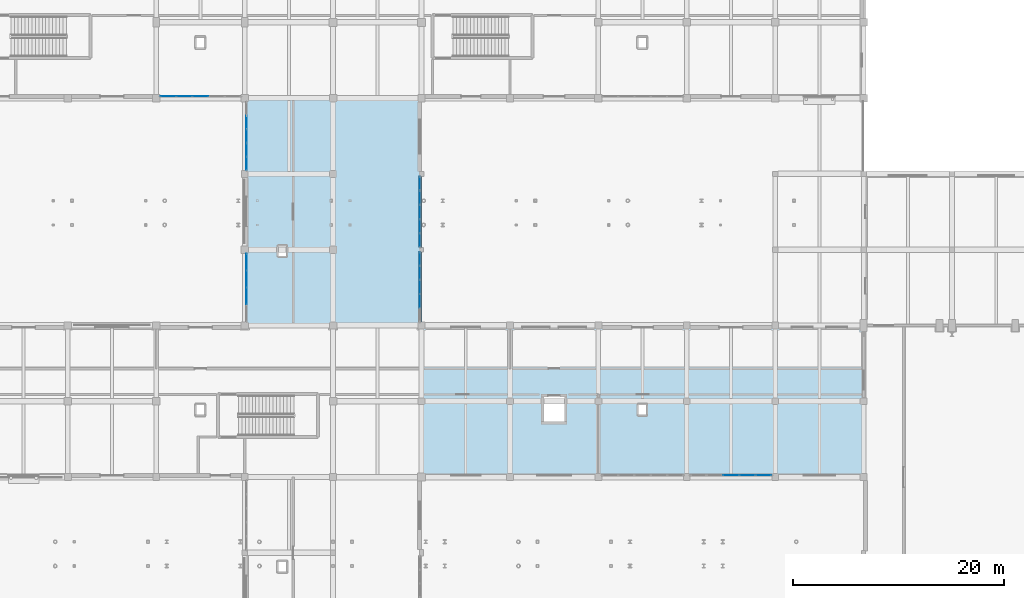
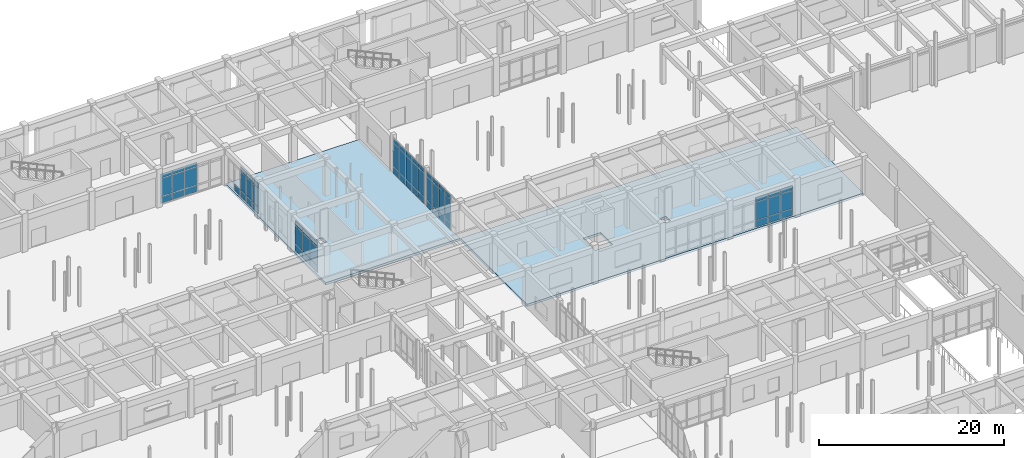
# One storey, part 69 of 121: 64 plates, 2 slabs, 6 elements without a shape of their own.
"""IFC4 building model written with IfcOpenShell, lengths in metres."""

from ifc_helpers import new_model, si_unit, direction, frame, origin, origin_2d, place, context, subcontext, project, spatial, polyline, rectangle, outline, extrude, material, layer, layer_set, type_object, element, aggregate, save


model = new_model("IFC4")

# Units and contexts
model_context = context("Model", 3, precision=1e-05, world=origin(), true_north=direction((0.0, 1.0)))
body_context = subcontext(model_context, "Body", "Model", "MODEL_VIEW")
ifc_project = project(units=[si_unit("LENGTHUNIT", "METRE"), si_unit("AREAUNIT", "SQUARE_METRE"), si_unit("VOLUMEUNIT", "CUBIC_METRE"), si_unit("PLANEANGLEUNIT", "RADIAN"), si_unit("MASSUNIT", "GRAM", prefix="KILO")], contexts=[model_context])

# Site, building, storey
site_placement = place(None, origin())
site = spatial("IfcSite", under=ifc_project, at=site_placement, CompositionType="ELEMENT")
building_placement = place(site_placement, origin())
building = spatial("IfcBuilding", under=site, at=building_placement, Name="Malvenik Polytechnic", CompositionType="ELEMENT")
storey_placement = place(building_placement, origin())
storey = spatial("IfcBuildingStorey", under=building, at=storey_placement, Name="L00", CompositionType="ELEMENT", Elevation=0.0)

# Curtain wall, plates
ifc_material_1 = material(Name="Anodised aluminium 6060-T6", Category="aluminium")
curtain_wall_type_1 = type_object("IfcCurtainWallType", Name="ARC-CW-CW-04", PredefinedType="NOTDEFINED", material=ifc_material_1)
curtain_wall_1_placement = place(storey_placement, origin())
curtain_wall_1 = element("IfcCurtainWall", 1, at=curtain_wall_1_placement, inside=storey, type_object=curtain_wall_type_1, Name="Unitised Curtain Wall CW-04 L00 #8", PredefinedType="NOTDEFINED")
ifc_material_2 = material(Name="Triple solar-control glazing 8-14-6-14-8", Category="glass")
ifc_layer_1 = layer(ifc_material_2, 0.035888671875)
ifc_layer_set_1 = layer_set([ifc_layer_1], Name="Triple solar-control glazing 8-14-6-14-8")
plate_type_1 = type_object("IfcPlateType", Name="ARC-CWP-CP-GLZ36", PredefinedType="CURTAIN_PANEL", material=ifc_layer_set_1)
plate_1_placement = place(storey_placement, frame((75.77001953125, 96.386962890625, 0.97998046875), z_axis=(0.0, 0.0, 1.0), x_axis=(0.0, 1.0, 0.0)))
plate_1 = element("IfcPlate", 2, at=plate_1_placement, type_object=plate_type_1, Name="CW-04 panel 2.2", PredefinedType="CURTAIN_PANEL", context=body_context, shape_type="SweptSolid", body=[
    extrude(rectangle(XDim=1.56591796875, YDim=0.028076171875, at=origin_2d()), origin(), (0.0, 0.0, 1.0), 2.449951171875),
])
plate_2_placement = place(storey_placement, frame((75.77001953125, 96.386962890625, 3.489990234375), z_axis=(0.0, 0.0, 1.0), x_axis=(0.0, 1.0, 0.0)))
plate_2 = element("IfcPlate", 3, at=plate_2_placement, type_object=plate_type_1, Name="CW-04 panel 2.3", PredefinedType="CURTAIN_PANEL", context=body_context, shape_type="SweptSolid", body=[
    extrude(rectangle(XDim=1.56591796875, YDim=0.028076171875, at=origin_2d()), origin(), (0.0, 0.0, 1.0), 0.56005859375),
])
plate_3_placement = place(storey_placement, frame((75.77001953125, 98.012939453125, 0.97998046875), z_axis=(0.0, 0.0, 1.0), x_axis=(0.0, 1.0, 0.0)))
plate_3 = element("IfcPlate", 4, at=plate_3_placement, type_object=plate_type_1, Name="CW-04 panel 3.2", PredefinedType="CURTAIN_PANEL", context=body_context, shape_type="SweptSolid", body=[
    extrude(rectangle(XDim=1.56591796875, YDim=0.028076171875, at=origin_2d()), origin(), (0.0, 0.0, 1.0), 2.449951171875),
])
plate_4_placement = place(storey_placement, frame((75.77001953125, 98.012939453125, 3.489990234375), z_axis=(0.0, 0.0, 1.0), x_axis=(0.0, 1.0, 0.0)))
plate_4 = element("IfcPlate", 5, at=plate_4_placement, type_object=plate_type_1, Name="CW-04 panel 3.3", PredefinedType="CURTAIN_PANEL", context=body_context, shape_type="SweptSolid", body=[
    extrude(rectangle(XDim=1.56591796875, YDim=0.028076171875, at=origin_2d()), origin(), (0.0, 0.0, 1.0), 0.56005859375),
])
plate_5_placement = place(storey_placement, frame((75.77001953125, 99.6240234375, 0.97998046875), z_axis=(0.0, 0.0, 1.0), x_axis=(0.0, 1.0, 0.0)))
plate_5 = element("IfcPlate", 6, at=plate_5_placement, type_object=plate_type_1, Name="CW-04 panel 4.2", PredefinedType="CURTAIN_PANEL", context=body_context, shape_type="SweptSolid", body=[
    extrude(rectangle(XDim=1.535888671875, YDim=0.028076171875, at=origin_2d()), origin(), (0.0, 0.0, 1.0), 2.449951171875),
])
plate_6_placement = place(storey_placement, frame((75.77001953125, 99.6240234375, 3.489990234375), z_axis=(0.0, 0.0, 1.0), x_axis=(0.0, 1.0, 0.0)))
plate_6 = element("IfcPlate", 7, at=plate_6_placement, type_object=plate_type_1, Name="CW-04 panel 4.3", PredefinedType="CURTAIN_PANEL", context=body_context, shape_type="SweptSolid", body=[
    extrude(rectangle(XDim=1.535888671875, YDim=0.028076171875, at=origin_2d()), origin(), (0.0, 0.0, 1.0), 0.56005859375),
])

curtain_wall_2_placement = place(storey_placement, origin())
curtain_wall_2 = element("IfcCurtainWall", 8, at=curtain_wall_2_placement, inside=storey, type_object=curtain_wall_type_1, Name="Unitised Curtain Wall CW-04 L00 #9", PredefinedType="NOTDEFINED")
plate_7_placement = place(storey_placement, frame((75.77001953125, 108.990966796875, 0.97998046875), z_axis=(0.0, 0.0, 1.0), x_axis=(0.0, 1.0, 0.0)))
plate_7 = element("IfcPlate", 9, at=plate_7_placement, type_object=plate_type_1, Name="CW-04 panel 1.2", PredefinedType="CURTAIN_PANEL", context=body_context, shape_type="SweptSolid", body=[
    extrude(rectangle(XDim=1.2158203125, YDim=0.028076171875, at=origin_2d()), origin(), (0.0, 0.0, 1.0), 2.449951171875),
])
plate_8_placement = place(storey_placement, frame((75.77001953125, 108.990966796875, 3.489990234375), z_axis=(0.0, 0.0, 1.0), x_axis=(0.0, 1.0, 0.0)))
plate_8 = element("IfcPlate", 10, at=plate_8_placement, type_object=plate_type_1, Name="CW-04 panel 1.3", PredefinedType="CURTAIN_PANEL", context=body_context, shape_type="SweptSolid", body=[
    extrude(rectangle(XDim=1.2158203125, YDim=0.028076171875, at=origin_2d()), origin(), (0.0, 0.0, 1.0), 0.56005859375),
])
plate_9_placement = place(storey_placement, frame((75.77001953125, 110.28173828125, 0.97998046875), z_axis=(0.0, 0.0, 1.0), x_axis=(0.0, 1.0, 0.0)))
plate_9 = element("IfcPlate", 11, at=plate_9_placement, type_object=plate_type_1, Name="CW-04 panel 2.2", PredefinedType="CURTAIN_PANEL", context=body_context, shape_type="SweptSolid", body=[
    extrude(rectangle(XDim=1.245849609375, YDim=0.028076171875, at=origin_2d()), origin(), (0.0, 0.0, 1.0), 2.449951171875),
])
plate_10_placement = place(storey_placement, frame((75.77001953125, 110.28173828125, 3.489990234375), z_axis=(0.0, 0.0, 1.0), x_axis=(0.0, 1.0, 0.0)))
plate_10 = element("IfcPlate", 12, at=plate_10_placement, type_object=plate_type_1, Name="CW-04 panel 2.3", PredefinedType="CURTAIN_PANEL", context=body_context, shape_type="SweptSolid", body=[
    extrude(rectangle(XDim=1.245849609375, YDim=0.028076171875, at=origin_2d()), origin(), (0.0, 0.0, 1.0), 0.56005859375),
])
plate_11_placement = place(storey_placement, frame((75.77001953125, 111.58740234375, 0.97998046875), z_axis=(0.0, 0.0, 1.0), x_axis=(0.0, 1.0, 0.0)))
plate_11 = element("IfcPlate", 13, at=plate_11_placement, type_object=plate_type_1, Name="CW-04 panel 3.2", PredefinedType="CURTAIN_PANEL", context=body_context, shape_type="SweptSolid", body=[
    extrude(rectangle(XDim=1.245849609375, YDim=0.028076171875, at=origin_2d()), origin(), (0.0, 0.0, 1.0), 2.449951171875),
])
plate_12_placement = place(storey_placement, frame((75.77001953125, 111.58740234375, 3.489990234375), z_axis=(0.0, 0.0, 1.0), x_axis=(0.0, 1.0, 0.0)))
plate_12 = element("IfcPlate", 14, at=plate_12_placement, type_object=plate_type_1, Name="CW-04 panel 3.3", PredefinedType="CURTAIN_PANEL", context=body_context, shape_type="SweptSolid", body=[
    extrude(rectangle(XDim=1.245849609375, YDim=0.028076171875, at=origin_2d()), origin(), (0.0, 0.0, 1.0), 0.56005859375),
])

curtain_wall_type_2 = type_object("IfcCurtainWallType", Name="ARC-CW-CW-01", PredefinedType="NOTDEFINED", material=ifc_material_1)
curtain_wall_3_placement = place(storey_placement, origin())
curtain_wall_3 = element("IfcCurtainWall", 15, at=curtain_wall_3_placement, inside=storey, type_object=curtain_wall_type_2, Name="Unitised Curtain Wall CW-01 L00 #10", PredefinedType="NOTDEFINED")
plate_13_placement = place(storey_placement, frame((71.39990234375, 115.3701171875, 0.97998046875), z_axis=(0.0, 0.0, 1.0), x_axis=(-1.0, 0.0, 0.0)))
plate_13 = element("IfcPlate", 16, at=plate_13_placement, type_object=plate_type_1, Name="CW-01 panel 3.2", PredefinedType="CURTAIN_PANEL", context=body_context, shape_type="SweptSolid", body=[
    extrude(rectangle(XDim=1.480712890625, YDim=0.028076171875, at=origin_2d()), origin(), (0.0, 0.0, 1.0), 2.35009765625),
])
plate_14_placement = place(storey_placement, frame((71.39990234375, 115.3701171875, 3.389892578125), z_axis=(0.0, 0.0, 1.0), x_axis=(-1.0, 0.0, 0.0)))
plate_14 = element("IfcPlate", 17, at=plate_14_placement, type_object=plate_type_1, Name="CW-01 panel 3.3", PredefinedType="CURTAIN_PANEL", context=body_context, shape_type="SweptSolid", body=[
    extrude(rectangle(XDim=1.480712890625, YDim=0.028076171875, at=origin_2d()), origin(), (0.0, 0.0, 1.0), 0.56005859375),
])
plate_15_placement = place(storey_placement, frame((69.859130859375, 115.3701171875, 0.97998046875), z_axis=(0.0, 0.0, 1.0), x_axis=(-1.0, 0.0, 0.0)))
plate_15 = element("IfcPlate", 18, at=plate_15_placement, type_object=plate_type_1, Name="CW-01 panel 4.2", PredefinedType="CURTAIN_PANEL", context=body_context, shape_type="SweptSolid", body=[
    extrude(rectangle(XDim=1.480712890625, YDim=0.028076171875, at=origin_2d()), origin(), (0.0, 0.0, 1.0), 2.35009765625),
])
plate_16_placement = place(storey_placement, frame((69.859130859375, 115.3701171875, 3.389892578125), z_axis=(0.0, 0.0, 1.0), x_axis=(-1.0, 0.0, 0.0)))
plate_16 = element("IfcPlate", 19, at=plate_16_placement, type_object=plate_type_1, Name="CW-01 panel 4.3", PredefinedType="CURTAIN_PANEL", context=body_context, shape_type="SweptSolid", body=[
    extrude(rectangle(XDim=1.480712890625, YDim=0.028076171875, at=origin_2d()), origin(), (0.0, 0.0, 1.0), 0.56005859375),
])
plate_17_placement = place(storey_placement, frame((68.33349609375, 115.3701171875, 0.97998046875), z_axis=(0.0, 0.0, 1.0), x_axis=(-1.0, 0.0, 0.0)))
plate_17 = element("IfcPlate", 20, at=plate_17_placement, type_object=plate_type_1, Name="CW-01 panel 5.2", PredefinedType="CURTAIN_PANEL", context=body_context, shape_type="SweptSolid", body=[
    extrude(rectangle(XDim=1.45068359375, YDim=0.028076171875, at=origin_2d()), origin(), (0.0, 0.0, 1.0), 2.35009765625),
])
plate_18_placement = place(storey_placement, frame((68.33349609375, 115.3701171875, 3.389892578125), z_axis=(0.0, 0.0, 1.0), x_axis=(-1.0, 0.0, 0.0)))
plate_18 = element("IfcPlate", 21, at=plate_18_placement, type_object=plate_type_1, Name="CW-01 panel 5.3", PredefinedType="CURTAIN_PANEL", context=body_context, shape_type="SweptSolid", body=[
    extrude(rectangle(XDim=1.45068359375, YDim=0.028076171875, at=origin_2d()), origin(), (0.0, 0.0, 1.0), 0.56005859375),
])

curtain_wall_type_3 = type_object("IfcCurtainWallType", Name="ARC-CW-CW-13", PredefinedType="NOTDEFINED", material=ifc_material_1)
curtain_wall_4_placement = place(storey_placement, origin())
curtain_wall_4 = element("IfcCurtainWall", 22, at=curtain_wall_4_placement, inside=storey, type_object=curtain_wall_type_3, Name="Unitised Curtain Wall CW-13 L00 #12", PredefinedType="NOTDEFINED")
plate_19_placement = place(storey_placement, frame((92.22998046875, 107.083984375, 0.97998046875), z_axis=(0.0, 0.0, 1.0), x_axis=(0.0, -1.0, 0.0)))
plate_19 = element("IfcPlate", 23, at=plate_19_placement, type_object=plate_type_1, Name="CW-13 panel 1.2", PredefinedType="CURTAIN_PANEL", context=body_context, shape_type="SweptSolid", body=[
    extrude(rectangle(XDim=1.265869140625, YDim=0.028076171875, at=origin_2d()), origin(), (0.0, 0.0, 1.0), 3.10009765625),
])
plate_20_placement = place(storey_placement, frame((92.22998046875, 107.083984375, 4.139892578125), z_axis=(0.0, 0.0, 1.0), x_axis=(0.0, -1.0, 0.0)))
plate_20 = element("IfcPlate", 24, at=plate_20_placement, type_object=plate_type_1, Name="CW-13 panel 1.3", PredefinedType="CURTAIN_PANEL", context=body_context, shape_type="SweptSolid", body=[
    extrude(rectangle(XDim=1.265869140625, YDim=0.028076171875, at=origin_2d()), origin(), (0.0, 0.0, 1.0), 0.56005859375),
])
plate_21_placement = place(storey_placement, frame((92.22998046875, 105.743408203125, 0.97998046875), z_axis=(0.0, 0.0, 1.0), x_axis=(0.0, -1.0, 0.0)))
plate_21 = element("IfcPlate", 25, at=plate_21_placement, type_object=plate_type_1, Name="CW-13 panel 2.2", PredefinedType="CURTAIN_PANEL", context=body_context, shape_type="SweptSolid", body=[
    extrude(rectangle(XDim=1.2958984375, YDim=0.028076171875, at=origin_2d()), origin(), (0.0, 0.0, 1.0), 3.10009765625),
])
plate_22_placement = place(storey_placement, frame((92.22998046875, 105.743408203125, 4.139892578125), z_axis=(0.0, 0.0, 1.0), x_axis=(0.0, -1.0, 0.0)))
plate_22 = element("IfcPlate", 26, at=plate_22_placement, type_object=plate_type_1, Name="CW-13 panel 2.3", PredefinedType="CURTAIN_PANEL", context=body_context, shape_type="SweptSolid", body=[
    extrude(rectangle(XDim=1.2958984375, YDim=0.028076171875, at=origin_2d()), origin(), (0.0, 0.0, 1.0), 0.56005859375),
])
plate_23_placement = place(storey_placement, frame((92.22998046875, 104.387451171875, 0.97998046875), z_axis=(0.0, 0.0, 1.0), x_axis=(0.0, -1.0, 0.0)))
plate_23 = element("IfcPlate", 27, at=plate_23_placement, type_object=plate_type_1, Name="CW-13 panel 3.2", PredefinedType="CURTAIN_PANEL", context=body_context, shape_type="SweptSolid", body=[
    extrude(rectangle(XDim=1.2958984375, YDim=0.028076171875, at=origin_2d()), origin(), (0.0, 0.0, 1.0), 3.10009765625),
])
plate_24_placement = place(storey_placement, frame((92.22998046875, 104.387451171875, 4.139892578125), z_axis=(0.0, 0.0, 1.0), x_axis=(0.0, -1.0, 0.0)))
plate_24 = element("IfcPlate", 28, at=plate_24_placement, type_object=plate_type_1, Name="CW-13 panel 3.3", PredefinedType="CURTAIN_PANEL", context=body_context, shape_type="SweptSolid", body=[
    extrude(rectangle(XDim=1.2958984375, YDim=0.028076171875, at=origin_2d()), origin(), (0.0, 0.0, 1.0), 0.56005859375),
])
plate_25_placement = place(storey_placement, frame((92.22998046875, 103.03173828125, 0.97998046875), z_axis=(0.0, 0.0, 1.0), x_axis=(0.0, -1.0, 0.0)))
plate_25 = element("IfcPlate", 29, at=plate_25_placement, type_object=plate_type_1, Name="CW-13 panel 4.2", PredefinedType="CURTAIN_PANEL", context=body_context, shape_type="SweptSolid", body=[
    extrude(rectangle(XDim=1.2958984375, YDim=0.028076171875, at=origin_2d()), origin(), (0.0, 0.0, 1.0), 3.10009765625),
])
plate_26_placement = place(storey_placement, frame((92.22998046875, 103.03173828125, 4.139892578125), z_axis=(0.0, 0.0, 1.0), x_axis=(0.0, -1.0, 0.0)))
plate_26 = element("IfcPlate", 30, at=plate_26_placement, type_object=plate_type_1, Name="CW-13 panel 4.3", PredefinedType="CURTAIN_PANEL", context=body_context, shape_type="SweptSolid", body=[
    extrude(rectangle(XDim=1.2958984375, YDim=0.028076171875, at=origin_2d()), origin(), (0.0, 0.0, 1.0), 0.56005859375),
])
plate_27_placement = place(storey_placement, frame((92.22998046875, 101.69091796875, 0.97998046875), z_axis=(0.0, 0.0, 1.0), x_axis=(0.0, -1.0, 0.0)))
plate_27 = element("IfcPlate", 31, at=plate_27_placement, type_object=plate_type_1, Name="CW-13 panel 5.2", PredefinedType="CURTAIN_PANEL", context=body_context, shape_type="SweptSolid", body=[
    extrude(rectangle(XDim=1.265869140625, YDim=0.028076171875, at=origin_2d()), origin(), (0.0, 0.0, 1.0), 3.10009765625),
])
plate_28_placement = place(storey_placement, frame((92.22998046875, 101.69091796875, 4.139892578125), z_axis=(0.0, 0.0, 1.0), x_axis=(0.0, -1.0, 0.0)))
plate_28 = element("IfcPlate", 32, at=plate_28_placement, type_object=plate_type_1, Name="CW-13 panel 5.3", PredefinedType="CURTAIN_PANEL", context=body_context, shape_type="SweptSolid", body=[
    extrude(rectangle(XDim=1.265869140625, YDim=0.028076171875, at=origin_2d()), origin(), (0.0, 0.0, 1.0), 0.56005859375),
])

curtain_wall_5_placement = place(storey_placement, origin())
curtain_wall_5 = element("IfcCurtainWall", 33, at=curtain_wall_5_placement, inside=storey, type_object=curtain_wall_type_3, Name="Unitised Curtain Wall CW-13 L00 #13", PredefinedType="NOTDEFINED")
plate_29_placement = place(storey_placement, frame((92.22998046875, 99.919189453125, 0.97998046875), z_axis=(0.0, 0.0, 1.0), x_axis=(0.0, -1.0, 0.0)))
plate_29 = element("IfcPlate", 34, at=plate_29_placement, type_object=plate_type_1, Name="CW-13 panel 1.2", PredefinedType="CURTAIN_PANEL", context=body_context, shape_type="SweptSolid", body=[
    extrude(rectangle(XDim=1.245849609375, YDim=0.028076171875, at=origin_2d()), origin(), (0.0, 0.0, 1.0), 3.10009765625),
])
plate_30_placement = place(storey_placement, frame((92.22998046875, 99.919189453125, 4.139892578125), z_axis=(0.0, 0.0, 1.0), x_axis=(0.0, -1.0, 0.0)))
plate_30 = element("IfcPlate", 35, at=plate_30_placement, type_object=plate_type_1, Name="CW-13 panel 1.3", PredefinedType="CURTAIN_PANEL", context=body_context, shape_type="SweptSolid", body=[
    extrude(rectangle(XDim=1.245849609375, YDim=0.028076171875, at=origin_2d()), origin(), (0.0, 0.0, 1.0), 0.56005859375),
])
plate_31_placement = place(storey_placement, frame((92.22998046875, 98.598388671875, 0.97998046875), z_axis=(0.0, 0.0, 1.0), x_axis=(0.0, -1.0, 0.0)))
plate_31 = element("IfcPlate", 36, at=plate_31_placement, type_object=plate_type_1, Name="CW-13 panel 2.2", PredefinedType="CURTAIN_PANEL", context=body_context, shape_type="SweptSolid", body=[
    extrude(rectangle(XDim=1.27587890625, YDim=0.028076171875, at=origin_2d()), origin(), (0.0, 0.0, 1.0), 3.10009765625),
])
plate_32_placement = place(storey_placement, frame((92.22998046875, 98.598388671875, 4.139892578125), z_axis=(0.0, 0.0, 1.0), x_axis=(0.0, -1.0, 0.0)))
plate_32 = element("IfcPlate", 37, at=plate_32_placement, type_object=plate_type_1, Name="CW-13 panel 2.3", PredefinedType="CURTAIN_PANEL", context=body_context, shape_type="SweptSolid", body=[
    extrude(rectangle(XDim=1.27587890625, YDim=0.028076171875, at=origin_2d()), origin(), (0.0, 0.0, 1.0), 0.56005859375),
])
plate_33_placement = place(storey_placement, frame((92.22998046875, 97.262451171875, 0.97998046875), z_axis=(0.0, 0.0, 1.0), x_axis=(0.0, -1.0, 0.0)))
plate_33 = element("IfcPlate", 38, at=plate_33_placement, type_object=plate_type_1, Name="CW-13 panel 3.2", PredefinedType="CURTAIN_PANEL", context=body_context, shape_type="SweptSolid", body=[
    extrude(rectangle(XDim=1.27587890625, YDim=0.028076171875, at=origin_2d()), origin(), (0.0, 0.0, 1.0), 3.10009765625),
])
plate_34_placement = place(storey_placement, frame((92.22998046875, 97.262451171875, 4.139892578125), z_axis=(0.0, 0.0, 1.0), x_axis=(0.0, -1.0, 0.0)))
plate_34 = element("IfcPlate", 39, at=plate_34_placement, type_object=plate_type_1, Name="CW-13 panel 3.3", PredefinedType="CURTAIN_PANEL", context=body_context, shape_type="SweptSolid", body=[
    extrude(rectangle(XDim=1.27587890625, YDim=0.028076171875, at=origin_2d()), origin(), (0.0, 0.0, 1.0), 0.56005859375),
])
plate_35_placement = place(storey_placement, frame((92.22998046875, 95.9267578125, 0.97998046875), z_axis=(0.0, 0.0, 1.0), x_axis=(0.0, -1.0, 0.0)))
plate_35 = element("IfcPlate", 40, at=plate_35_placement, type_object=plate_type_1, Name="CW-13 panel 4.2", PredefinedType="CURTAIN_PANEL", context=body_context, shape_type="SweptSolid", body=[
    extrude(rectangle(XDim=1.27587890625, YDim=0.028076171875, at=origin_2d()), origin(), (0.0, 0.0, 1.0), 3.10009765625),
])
plate_36_placement = place(storey_placement, frame((92.22998046875, 95.9267578125, 4.139892578125), z_axis=(0.0, 0.0, 1.0), x_axis=(0.0, -1.0, 0.0)))
plate_36 = element("IfcPlate", 41, at=plate_36_placement, type_object=plate_type_1, Name="CW-13 panel 4.3", PredefinedType="CURTAIN_PANEL", context=body_context, shape_type="SweptSolid", body=[
    extrude(rectangle(XDim=1.27587890625, YDim=0.028076171875, at=origin_2d()), origin(), (0.0, 0.0, 1.0), 0.56005859375),
])

curtain_wall_6_placement = place(storey_placement, origin())
curtain_wall_6 = element("IfcCurtainWall", 42, at=curtain_wall_6_placement, inside=storey, type_object=curtain_wall_type_2, Name="Unitised Curtain Wall CW-01 L00 #18", PredefinedType="NOTDEFINED")
plate_37_placement = place(storey_placement, frame((124.88671875, 79.3701171875, 0.97998046875), z_axis=(0.0, 0.0, 1.0), x_axis=(-1.0, 0.0, 0.0)))
plate_37 = element("IfcPlate", 43, at=plate_37_placement, type_object=plate_type_1, Name="CW-01 panel 1.2", PredefinedType="CURTAIN_PANEL", context=body_context, shape_type="SweptSolid", body=[
    extrude(rectangle(XDim=1.460693359375, YDim=0.028076171875, at=origin_2d()), origin(), (0.0, 0.0, 1.0), 2.35009765625),
])
plate_38_placement = place(storey_placement, frame((124.88671875, 79.3701171875, 3.389892578125), z_axis=(0.0, 0.0, 1.0), x_axis=(-1.0, 0.0, 0.0)))
plate_38 = element("IfcPlate", 44, at=plate_38_placement, type_object=plate_type_1, Name="CW-01 panel 1.3", PredefinedType="CURTAIN_PANEL", context=body_context, shape_type="SweptSolid", body=[
    extrude(rectangle(XDim=1.460693359375, YDim=0.028076171875, at=origin_2d()), origin(), (0.0, 0.0, 1.0), 0.56005859375),
])
plate_39_placement = place(storey_placement, frame((123.350830078125, 79.3701171875, 0.97998046875), z_axis=(0.0, 0.0, 1.0), x_axis=(-1.0, 0.0, 0.0)))
plate_39 = element("IfcPlate", 45, at=plate_39_placement, type_object=plate_type_1, Name="CW-01 panel 2.2", PredefinedType="CURTAIN_PANEL", context=body_context, shape_type="SweptSolid", body=[
    extrude(rectangle(XDim=1.49072265625, YDim=0.028076171875, at=origin_2d()), origin(), (0.0, 0.0, 1.0), 2.35009765625),
])
plate_40_placement = place(storey_placement, frame((123.350830078125, 79.3701171875, 3.389892578125), z_axis=(0.0, 0.0, 1.0), x_axis=(-1.0, 0.0, 0.0)))
plate_40 = element("IfcPlate", 46, at=plate_40_placement, type_object=plate_type_1, Name="CW-01 panel 2.3", PredefinedType="CURTAIN_PANEL", context=body_context, shape_type="SweptSolid", body=[
    extrude(rectangle(XDim=1.49072265625, YDim=0.028076171875, at=origin_2d()), origin(), (0.0, 0.0, 1.0), 0.56005859375),
])
plate_41_placement = place(storey_placement, frame((121.800048828125, 79.3701171875, 0.97998046875), z_axis=(0.0, 0.0, 1.0), x_axis=(-1.0, 0.0, 0.0)))
plate_41 = element("IfcPlate", 47, at=plate_41_placement, type_object=plate_type_1, Name="CW-01 panel 3.2", PredefinedType="CURTAIN_PANEL", context=body_context, shape_type="SweptSolid", body=[
    extrude(rectangle(XDim=1.49072265625, YDim=0.028076171875, at=origin_2d()), origin(), (0.0, 0.0, 1.0), 2.35009765625),
])
plate_42_placement = place(storey_placement, frame((121.800048828125, 79.3701171875, 3.389892578125), z_axis=(0.0, 0.0, 1.0), x_axis=(-1.0, 0.0, 0.0)))
plate_42 = element("IfcPlate", 48, at=plate_42_placement, type_object=plate_type_1, Name="CW-01 panel 3.3", PredefinedType="CURTAIN_PANEL", context=body_context, shape_type="SweptSolid", body=[
    extrude(rectangle(XDim=1.49072265625, YDim=0.028076171875, at=origin_2d()), origin(), (0.0, 0.0, 1.0), 0.56005859375),
])

# Plate
ifc_material_3 = material(Name="Insulated aluminium spandrel cassette 42mm", Category="aluminium")
ifc_layer_2 = layer(ifc_material_3, 0.0419921875)
ifc_layer_set_2 = layer_set([ifc_layer_2], Name="Insulated aluminium spandrel cassette 42mm")
plate_type_2 = type_object("IfcPlateType", Name="ARC-CWP-CP-SPN42", PredefinedType="CURTAIN_PANEL", material=ifc_layer_set_2)
plate_43_placement = place(storey_placement, frame((75.77001953125, 96.386962890625, 0.06005859375), z_axis=(0.0, 0.0, 1.0), x_axis=(0.0, 1.0, 0.0)))
plate_43 = element("IfcPlate", 49, at=plate_43_placement, type_object=plate_type_2, Name="CW-04 panel 2.1", PredefinedType="CURTAIN_PANEL", context=body_context, shape_type="SweptSolid", body=[
    extrude(rectangle(XDim=1.56591796875, YDim=0.028076171875, at=origin_2d()), origin(), (0.0, 0.0, 1.0), 0.860107421875),
])

plate_44_placement = place(storey_placement, frame((75.77001953125, 98.012939453125, 0.06005859375), z_axis=(0.0, 0.0, 1.0), x_axis=(0.0, 1.0, 0.0)))
plate_44 = element("IfcPlate", 50, at=plate_44_placement, type_object=plate_type_2, Name="CW-04 panel 3.1", PredefinedType="CURTAIN_PANEL", context=body_context, shape_type="SweptSolid", body=[
    extrude(rectangle(XDim=1.56591796875, YDim=0.028076171875, at=origin_2d()), origin(), (0.0, 0.0, 1.0), 0.860107421875),
])

plate_45_placement = place(storey_placement, frame((75.77001953125, 99.6240234375, 0.06005859375), z_axis=(0.0, 0.0, 1.0), x_axis=(0.0, 1.0, 0.0)))
plate_45 = element("IfcPlate", 51, at=plate_45_placement, type_object=plate_type_2, Name="CW-04 panel 4.1", PredefinedType="CURTAIN_PANEL", context=body_context, shape_type="SweptSolid", body=[
    extrude(rectangle(XDim=1.535888671875, YDim=0.028076171875, at=origin_2d()), origin(), (0.0, 0.0, 1.0), 0.860107421875),
])

aggregate(curtain_wall_1, [plate_43, plate_1, plate_2, plate_44, plate_3, plate_4, plate_45, plate_5, plate_6])

plate_46_placement = place(storey_placement, frame((75.77001953125, 108.990966796875, 0.06005859375), z_axis=(0.0, 0.0, 1.0), x_axis=(0.0, 1.0, 0.0)))
plate_46 = element("IfcPlate", 52, at=plate_46_placement, type_object=plate_type_2, Name="CW-04 panel 1.1", PredefinedType="CURTAIN_PANEL", context=body_context, shape_type="SweptSolid", body=[
    extrude(rectangle(XDim=1.2158203125, YDim=0.028076171875, at=origin_2d()), origin(), (0.0, 0.0, 1.0), 0.860107421875),
])

plate_47_placement = place(storey_placement, frame((75.77001953125, 110.28173828125, 0.06005859375), z_axis=(0.0, 0.0, 1.0), x_axis=(0.0, 1.0, 0.0)))
plate_47 = element("IfcPlate", 53, at=plate_47_placement, type_object=plate_type_2, Name="CW-04 panel 2.1", PredefinedType="CURTAIN_PANEL", context=body_context, shape_type="SweptSolid", body=[
    extrude(rectangle(XDim=1.245849609375, YDim=0.028076171875, at=origin_2d()), origin(), (0.0, 0.0, 1.0), 0.860107421875),
])

plate_48_placement = place(storey_placement, frame((75.77001953125, 111.58740234375, 0.06005859375), z_axis=(0.0, 0.0, 1.0), x_axis=(0.0, 1.0, 0.0)))
plate_48 = element("IfcPlate", 54, at=plate_48_placement, type_object=plate_type_2, Name="CW-04 panel 3.1", PredefinedType="CURTAIN_PANEL", context=body_context, shape_type="SweptSolid", body=[
    extrude(rectangle(XDim=1.245849609375, YDim=0.028076171875, at=origin_2d()), origin(), (0.0, 0.0, 1.0), 0.860107421875),
])

plate_49_placement = place(storey_placement, frame((75.77001953125, 112.893310546875, 0.06005859375), z_axis=(0.0, 0.0, 1.0), x_axis=(0.0, 1.0, 0.0)))
plate_49 = element("IfcPlate", 55, at=plate_49_placement, type_object=plate_type_2, Name="CW-04 panel 4.1", PredefinedType="CURTAIN_PANEL", context=body_context, shape_type="SweptSolid", body=[
    extrude(rectangle(XDim=1.245849609375, YDim=0.028076171875, at=origin_2d()), origin(), (0.0, 0.0, 1.0), 0.860107421875),
])

aggregate(curtain_wall_2, [plate_46, plate_7, plate_8, plate_47, plate_9, plate_10, plate_48, plate_11, plate_12, plate_49])

plate_50_placement = place(storey_placement, frame((71.39990234375, 115.3701171875, 0.06005859375), z_axis=(0.0, 0.0, 1.0), x_axis=(-1.0, 0.0, 0.0)))
plate_50 = element("IfcPlate", 56, at=plate_50_placement, type_object=plate_type_2, Name="CW-01 panel 3.1", PredefinedType="CURTAIN_PANEL", context=body_context, shape_type="SweptSolid", body=[
    extrude(rectangle(XDim=1.480712890625, YDim=0.028076171875, at=origin_2d()), origin(), (0.0, 0.0, 1.0), 0.860107421875),
])

plate_51_placement = place(storey_placement, frame((69.859130859375, 115.3701171875, 0.06005859375), z_axis=(0.0, 0.0, 1.0), x_axis=(-1.0, 0.0, 0.0)))
plate_51 = element("IfcPlate", 57, at=plate_51_placement, type_object=plate_type_2, Name="CW-01 panel 4.1", PredefinedType="CURTAIN_PANEL", context=body_context, shape_type="SweptSolid", body=[
    extrude(rectangle(XDim=1.480712890625, YDim=0.028076171875, at=origin_2d()), origin(), (0.0, 0.0, 1.0), 0.860107421875),
])

plate_52_placement = place(storey_placement, frame((68.33349609375, 115.3701171875, 0.06005859375), z_axis=(0.0, 0.0, 1.0), x_axis=(-1.0, 0.0, 0.0)))
plate_52 = element("IfcPlate", 58, at=plate_52_placement, type_object=plate_type_2, Name="CW-01 panel 5.1", PredefinedType="CURTAIN_PANEL", context=body_context, shape_type="SweptSolid", body=[
    extrude(rectangle(XDim=1.45068359375, YDim=0.028076171875, at=origin_2d()), origin(), (0.0, 0.0, 1.0), 0.860107421875),
])

aggregate(curtain_wall_3, [plate_50, plate_13, plate_14, plate_51, plate_15, plate_16, plate_52, plate_17, plate_18])

plate_53_placement = place(storey_placement, frame((92.22998046875, 107.083984375, 0.06005859375), z_axis=(0.0, 0.0, 1.0), x_axis=(0.0, -1.0, 0.0)))
plate_53 = element("IfcPlate", 59, at=plate_53_placement, type_object=plate_type_2, Name="CW-13 panel 1.1", PredefinedType="CURTAIN_PANEL", context=body_context, shape_type="SweptSolid", body=[
    extrude(rectangle(XDim=1.265869140625, YDim=0.028076171875, at=origin_2d()), origin(), (0.0, 0.0, 1.0), 0.860107421875),
])

plate_54_placement = place(storey_placement, frame((92.22998046875, 105.743408203125, 0.06005859375), z_axis=(0.0, 0.0, 1.0), x_axis=(0.0, -1.0, 0.0)))
plate_54 = element("IfcPlate", 60, at=plate_54_placement, type_object=plate_type_2, Name="CW-13 panel 2.1", PredefinedType="CURTAIN_PANEL", context=body_context, shape_type="SweptSolid", body=[
    extrude(rectangle(XDim=1.2958984375, YDim=0.028076171875, at=origin_2d()), origin(), (0.0, 0.0, 1.0), 0.860107421875),
])

plate_55_placement = place(storey_placement, frame((92.22998046875, 104.387451171875, 0.06005859375), z_axis=(0.0, 0.0, 1.0), x_axis=(0.0, -1.0, 0.0)))
plate_55 = element("IfcPlate", 61, at=plate_55_placement, type_object=plate_type_2, Name="CW-13 panel 3.1", PredefinedType="CURTAIN_PANEL", context=body_context, shape_type="SweptSolid", body=[
    extrude(rectangle(XDim=1.2958984375, YDim=0.028076171875, at=origin_2d()), origin(), (0.0, 0.0, 1.0), 0.860107421875),
])

plate_56_placement = place(storey_placement, frame((92.22998046875, 103.03173828125, 0.06005859375), z_axis=(0.0, 0.0, 1.0), x_axis=(0.0, -1.0, 0.0)))
plate_56 = element("IfcPlate", 62, at=plate_56_placement, type_object=plate_type_2, Name="CW-13 panel 4.1", PredefinedType="CURTAIN_PANEL", context=body_context, shape_type="SweptSolid", body=[
    extrude(rectangle(XDim=1.2958984375, YDim=0.028076171875, at=origin_2d()), origin(), (0.0, 0.0, 1.0), 0.860107421875),
])

plate_57_placement = place(storey_placement, frame((92.22998046875, 101.69091796875, 0.06005859375), z_axis=(0.0, 0.0, 1.0), x_axis=(0.0, -1.0, 0.0)))
plate_57 = element("IfcPlate", 63, at=plate_57_placement, type_object=plate_type_2, Name="CW-13 panel 5.1", PredefinedType="CURTAIN_PANEL", context=body_context, shape_type="SweptSolid", body=[
    extrude(rectangle(XDim=1.265869140625, YDim=0.028076171875, at=origin_2d()), origin(), (0.0, 0.0, 1.0), 0.860107421875),
])

aggregate(curtain_wall_4, [plate_53, plate_19, plate_20, plate_54, plate_21, plate_22, plate_55, plate_23, plate_24, plate_56, plate_25, plate_26, plate_57, plate_27, plate_28])

plate_58_placement = place(storey_placement, frame((92.22998046875, 99.919189453125, 0.06005859375), z_axis=(0.0, 0.0, 1.0), x_axis=(0.0, -1.0, 0.0)))
plate_58 = element("IfcPlate", 64, at=plate_58_placement, type_object=plate_type_2, Name="CW-13 panel 1.1", PredefinedType="CURTAIN_PANEL", context=body_context, shape_type="SweptSolid", body=[
    extrude(rectangle(XDim=1.245849609375, YDim=0.028076171875, at=origin_2d()), origin(), (0.0, 0.0, 1.0), 0.860107421875),
])

plate_59_placement = place(storey_placement, frame((92.22998046875, 98.598388671875, 0.06005859375), z_axis=(0.0, 0.0, 1.0), x_axis=(0.0, -1.0, 0.0)))
plate_59 = element("IfcPlate", 65, at=plate_59_placement, type_object=plate_type_2, Name="CW-13 panel 2.1", PredefinedType="CURTAIN_PANEL", context=body_context, shape_type="SweptSolid", body=[
    extrude(rectangle(XDim=1.27587890625, YDim=0.028076171875, at=origin_2d()), origin(), (0.0, 0.0, 1.0), 0.860107421875),
])

plate_60_placement = place(storey_placement, frame((92.22998046875, 97.262451171875, 0.06005859375), z_axis=(0.0, 0.0, 1.0), x_axis=(0.0, -1.0, 0.0)))
plate_60 = element("IfcPlate", 66, at=plate_60_placement, type_object=plate_type_2, Name="CW-13 panel 3.1", PredefinedType="CURTAIN_PANEL", context=body_context, shape_type="SweptSolid", body=[
    extrude(rectangle(XDim=1.27587890625, YDim=0.028076171875, at=origin_2d()), origin(), (0.0, 0.0, 1.0), 0.860107421875),
])

plate_61_placement = place(storey_placement, frame((92.22998046875, 95.9267578125, 0.06005859375), z_axis=(0.0, 0.0, 1.0), x_axis=(0.0, -1.0, 0.0)))
plate_61 = element("IfcPlate", 67, at=plate_61_placement, type_object=plate_type_2, Name="CW-13 panel 4.1", PredefinedType="CURTAIN_PANEL", context=body_context, shape_type="SweptSolid", body=[
    extrude(rectangle(XDim=1.27587890625, YDim=0.028076171875, at=origin_2d()), origin(), (0.0, 0.0, 1.0), 0.860107421875),
])

aggregate(curtain_wall_5, [plate_58, plate_29, plate_30, plate_59, plate_31, plate_32, plate_60, plate_33, plate_34, plate_61, plate_35, plate_36])

plate_62_placement = place(storey_placement, frame((124.88671875, 79.3701171875, 0.06005859375), z_axis=(0.0, 0.0, 1.0), x_axis=(-1.0, 0.0, 0.0)))
plate_62 = element("IfcPlate", 68, at=plate_62_placement, type_object=plate_type_2, Name="CW-01 panel 1.1", PredefinedType="CURTAIN_PANEL", context=body_context, shape_type="SweptSolid", body=[
    extrude(rectangle(XDim=1.460693359375, YDim=0.028076171875, at=origin_2d()), origin(), (0.0, 0.0, 1.0), 0.860107421875),
])

plate_63_placement = place(storey_placement, frame((123.350830078125, 79.3701171875, 0.06005859375), z_axis=(0.0, 0.0, 1.0), x_axis=(-1.0, 0.0, 0.0)))
plate_63 = element("IfcPlate", 69, at=plate_63_placement, type_object=plate_type_2, Name="CW-01 panel 2.1", PredefinedType="CURTAIN_PANEL", context=body_context, shape_type="SweptSolid", body=[
    extrude(rectangle(XDim=1.49072265625, YDim=0.028076171875, at=origin_2d()), origin(), (0.0, 0.0, 1.0), 0.860107421875),
])

plate_64_placement = place(storey_placement, frame((121.800048828125, 79.3701171875, 0.06005859375), z_axis=(0.0, 0.0, 1.0), x_axis=(-1.0, 0.0, 0.0)))
plate_64 = element("IfcPlate", 70, at=plate_64_placement, type_object=plate_type_2, Name="CW-01 panel 3.1", PredefinedType="CURTAIN_PANEL", context=body_context, shape_type="SweptSolid", body=[
    extrude(rectangle(XDim=1.49072265625, YDim=0.028076171875, at=origin_2d()), origin(), (0.0, 0.0, 1.0), 0.860107421875),
])

aggregate(curtain_wall_6, [plate_62, plate_37, plate_38, plate_63, plate_39, plate_40, plate_64, plate_41, plate_42])

# Slabs
ifc_material_4 = material(Name="Concrete C35/45", Category="concrete")
ifc_layer_3 = layer(ifc_material_4, 0.300048828125)
ifc_layer_set_3 = layer_set([ifc_layer_3], Name="Concrete C35/45")
slab_type = type_object("IfcSlabType", Name="STR-SLB-FLR-300", PredefinedType="FLOOR", material=ifc_layer_set_3)
slab_1_placement = place(storey_placement, frame((0.0, 0.0, -0.300048828125)))
element("IfcSlab", 71, at=slab_1_placement, inside=storey, type_object=slab_type, Name="Structural Slab L00-V2 #23", PredefinedType="FLOOR", context=body_context, shape_type="SweptSolid", body=[
    extrude(outline(polyline([(134.3798828125, 93.60009765625), (134.3798828125, 79.199951171875), (92.419921875, 79.199951171875), (92.419921875, 93.60009765625), (134.3798828125, 93.60009765625)]), holes=[polyline([(113.75, 86.050048828125), (113.0, 86.050048828125), (113.0, 85.10009765625), (113.75, 85.10009765625), (113.75, 86.050048828125)]), polyline([(106.10009765625, 86.949951171875), (103.89990234375, 86.949951171875), (103.89990234375, 84.35009765625), (106.10009765625, 84.35009765625), (106.10009765625, 86.949951171875)])]), origin(), (0.0, 0.0, 1.0), 0.300048828125),
])
slab_2_placement = place(storey_placement, frame((0.0, 0.0, -0.300048828125)))
element("IfcSlab", 72, at=slab_2_placement, inside=storey, type_object=slab_type, Name="Structural Slab L00-SP-N #31", PredefinedType="FLOOR", context=body_context, shape_type="SweptSolid", body=[
    extrude(outline(polyline([(75.60009765625, 115.199951171875), (92.3798828125, 115.199951171875), (92.3798828125, 93.60009765625), (75.60009765625, 93.60009765625), (75.60009765625, 115.199951171875)]), holes=[polyline([(79.550048828125, 101.14990234375), (78.800048828125, 101.14990234375), (78.800048828125, 100.199951171875), (79.550048828125, 100.199951171875), (79.550048828125, 101.14990234375)])]), origin(), (0.0, 0.0, 1.0), 0.300048828125),
])

save(model, "model.ifc")
